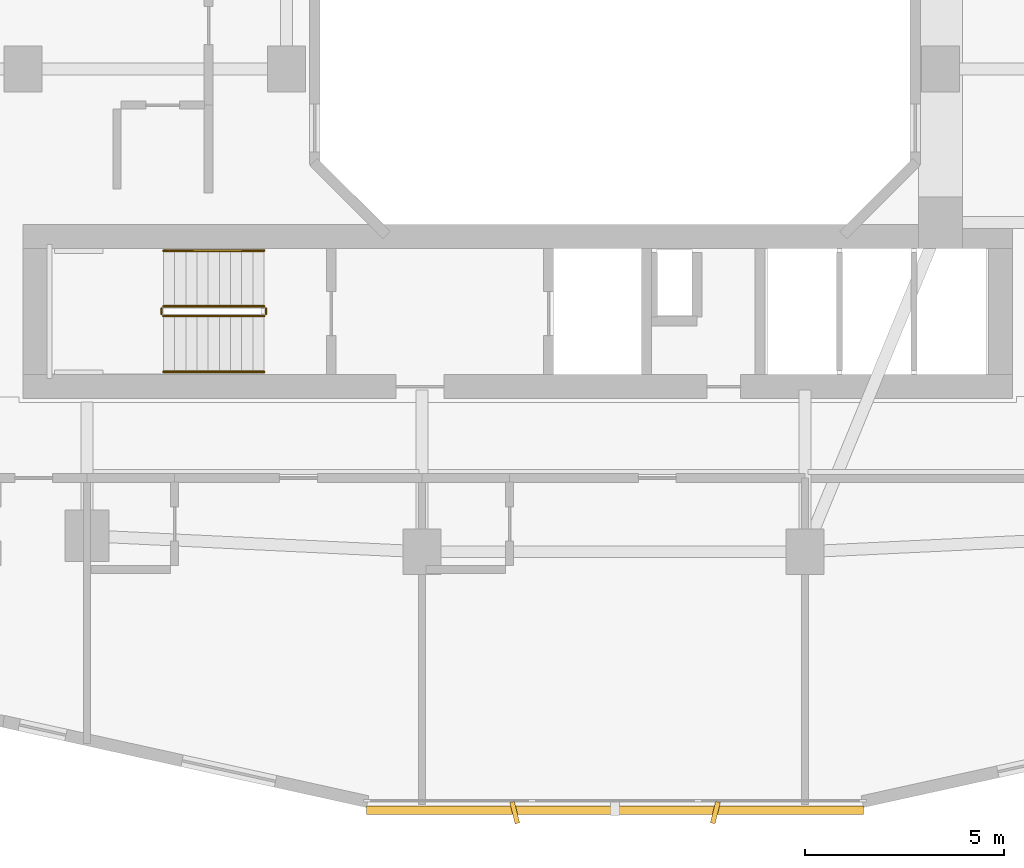
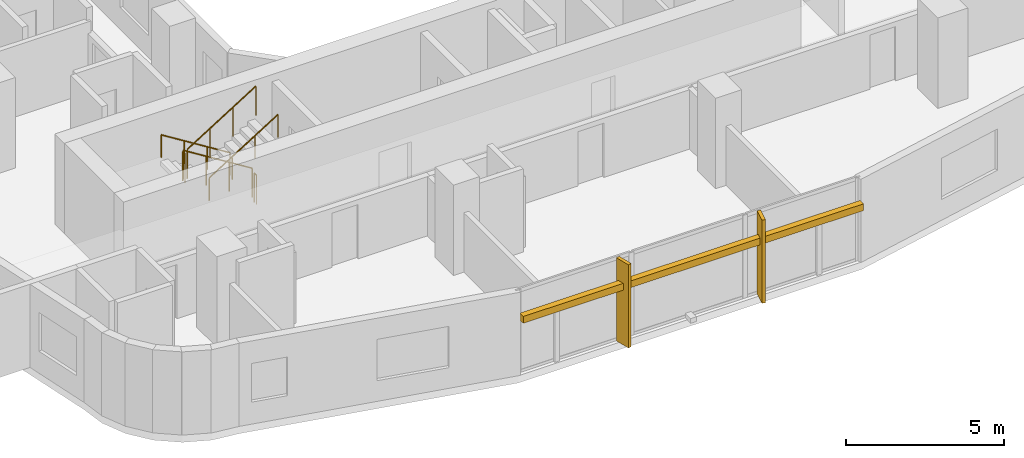
# One storey, part 21 of 25: 6 railings, 3 shading devices.
"""IFC4 building model written with IfcOpenShell, lengths in metres."""

import ifcopenshell
import ifcopenshell.guid

model = None  # the IFC model being written
_history = None  # IfcOwnerHistory: only IFC2X3 demands one
_inside = {}  # id of a spatial element -> (the spatial element, [elements in it])
_under = {}  # id of a project, library or spatial element -> (it, [spatial elements below it])
_declared = {}  # id of a project -> (the project, [libraries it declares])
_typed = {}  # id of a type object -> (the type object, [elements of that type])
_made_of = {}  # id of a material, layer set ... -> (it, [elements and type objects made of it])


def new_model(schema):
    """Start an empty IFC model of exactly this schema.

    Asked for "IFC4X3", IfcOpenShell would pick the latest addendum, in which some entities
    have other attributes; the version numbers below select the first issue.
    IFC2X3 requires an IfcOwnerHistory on every rooted entity: one is made here for all.
    """
    global model, _history
    if schema == "IFC4X3":
        model = ifcopenshell.file(schema_version=(4, 3, 0, 0))
    else:
        model = ifcopenshell.file(schema=schema)
    _inside.clear()
    _under.clear()
    _declared.clear()
    _typed.clear()
    _made_of.clear()
    _history = None
    if model.schema == "IFC2X3":
        org = make("IfcOrganization", Name="unknown")
        user = make(
            "IfcPersonAndOrganization",
            ThePerson=make("IfcPerson", FamilyName="unknown"),
            TheOrganization=org,
        )
        app = make(
            "IfcApplication",
            ApplicationDeveloper=org,
            Version="unknown",
            ApplicationFullName="unknown",
            ApplicationIdentifier="unknown",
        )
        _history = make(
            "IfcOwnerHistory",
            OwningUser=user,
            OwningApplication=app,
            ChangeAction="ADDED",
            CreationDate=0,
        )
    return model


def make(cls, **values):
    """One entity of the class cls with the attributes given. An attribute that is None is left unset."""
    return model.create_entity(
        cls, **{name: value for name, value in values.items() if value is not None}
    )


def rooted(cls, **values):
    """An entity with a GlobalId (a new one), such as an element, a storey or a relation."""
    return make(cls, GlobalId=ifcopenshell.guid.new(), OwnerHistory=_history, **values)


def si_unit(unit_type, name, prefix=None):
    """IfcSIUnit, for example si_unit("LENGTHUNIT", "METRE", prefix="MILLI")."""
    return make("IfcSIUnit", UnitType=unit_type, Prefix=prefix, Name=name)


def derived_unit(unit_type, elements):
    """IfcDerivedUnit: a product of units, each with its exponent."""
    return make(
        "IfcDerivedUnit",
        Elements=[
            make("IfcDerivedUnitElement", Unit=unit, Exponent=power)
            for unit, power in elements
        ],
        UnitType=unit_type,
    )


def assignment(units):
    """IfcUnitAssignment: the units of a project."""
    return None if units is None else make("IfcUnitAssignment", Units=units)


def point(xyz):
    """IfcCartesianPoint."""
    return None if xyz is None else make("IfcCartesianPoint", Coordinates=xyz)


def direction(xyz):
    """IfcDirection."""
    return None if xyz is None else make("IfcDirection", DirectionRatios=xyz)


def frame(location, z_axis=None, x_axis=None):
    """IfcAxis2Placement3D, a coordinate frame: its origin and axes. An axis left out is left unset."""
    return make(
        "IfcAxis2Placement3D",
        Location=point(location),
        Axis=direction(z_axis),
        RefDirection=direction(x_axis),
    )


def frame_2d(location, x_axis=None):
    """IfcAxis2Placement2D, a coordinate frame in the plane: its origin and x axis."""
    return make(
        "IfcAxis2Placement2D", Location=point(location), RefDirection=direction(x_axis)
    )


def origin():
    """The frame at (0, 0, 0) with its axes left unset."""
    return frame((0.0, 0.0, 0.0))


def origin_2d():
    """The frame at (0, 0) in the plane with its x axis left unset."""
    return frame_2d((0.0, 0.0))


def place(relative_to, where):
    """IfcLocalPlacement: puts the frame where relative to a parent placement (None: the world)."""
    return make(
        "IfcLocalPlacement", PlacementRelTo=relative_to, RelativePlacement=where
    )


def context(
    kind, dimensions, precision=None, world=None, true_north=None, identifier=None
):
    """IfcGeometricRepresentationContext, for example the 3D "Model" context."""
    return make(
        "IfcGeometricRepresentationContext",
        ContextIdentifier=identifier,
        ContextType=kind,
        CoordinateSpaceDimension=dimensions,
        Precision=precision,
        WorldCoordinateSystem=world,
        TrueNorth=true_north,
    )


def subcontext(parent, identifier, kind, view, scale=None):
    """IfcGeometricRepresentationSubContext, for example "Body" below "Model"."""
    return make(
        "IfcGeometricRepresentationSubContext",
        ContextIdentifier=identifier,
        ContextType=kind,
        ParentContext=parent,
        TargetScale=scale,
        TargetView=view,
    )


def project(units=None, contexts=None):
    """IfcProject with its units and contexts."""
    return rooted(
        "IfcProject",
        Name="project",
        RepresentationContexts=contexts,
        UnitsInContext=assignment(units),
    )


def spatial(cls, under=None, at=None, **own):
    """A site, building, storey or space (cls), placed at a placement, below another one or the project."""
    s = rooted(cls, ObjectPlacement=at, **own)
    if under is not None:
        _under.setdefault(under.id(), (under, []))[1].append(s)
    return s


def profile(cls, at=None, kind="AREA", **sizes):
    """A parametric profile (cls). Its sizes go by their IFC names, for example OverallWidth=200.0."""
    return make(cls, ProfileType=kind, Position=at, **sizes)


def rectangle(**sizes):
    """IfcRectangleProfileDef."""
    return profile("IfcRectangleProfileDef", **sizes)


def circle(**sizes):
    """IfcCircleProfileDef."""
    return profile("IfcCircleProfileDef", **sizes)


def extrude(swept, where, along, depth):
    """IfcExtrudedAreaSolid: the profile swept, set in the frame where, extruded along a direction by depth."""
    return make(
        "IfcExtrudedAreaSolid",
        SweptArea=swept,
        Position=where,
        ExtrudedDirection=direction(along),
        Depth=depth,
    )


def shape(context_of_items, identifier, shape_type, items):
    """IfcShapeRepresentation: the items that make up one representation, for example the "Body"."""
    return make(
        "IfcShapeRepresentation",
        ContextOfItems=context_of_items,
        RepresentationIdentifier=identifier,
        RepresentationType=shape_type,
        Items=items,
    )


def material(Name=None, Category=None):
    """IfcMaterial."""
    return make("IfcMaterial", Name=Name, Category=Category)


def made_of(thing, what):
    """Note that an element or type object is made of a material, layer set ...; save() writes the relation."""
    if what is not None:
        _made_of.setdefault(what.id(), (what, []))[1].append(thing)
    return thing


def type_object(cls, material=None, **own):
    """A type object (cls), such as IfcWallType, which elements share."""
    return made_of(rooted(cls, **own), material)


def element(
    cls,
    number,
    at=None,
    inside=None,
    cuts=None,
    type_object=None,
    material=None,
    context=None,
    identifier="Body",
    shape_type=None,
    held_by="IfcProductDefinitionShape",
    body=None,
    shapes=None,
    **own,
):
    """One element of the class cls, such as IfcWall. Its Tag is "e" and its number.

    at: its placement. inside: the storey or other place that contains it. cuts: it is an
    opening in that element (IfcRelVoidsElement). A single representation is given by context,
    identifier, shape_type and body (its items); several are given by shapes. held_by: the class
    of the entity that holds the representations. save() writes the other relations.
    """
    e = rooted(cls, Tag="e%d" % number, ObjectPlacement=at, **own)
    if body is not None:
        shapes = [shape(context, identifier, shape_type, body)]
    if shapes is not None:
        e.Representation = make(held_by, Representations=shapes)
    if inside is not None:
        _inside.setdefault(inside.id(), (inside, []))[1].append(e)
    if cuts is not None:
        rooted(
            "IfcRelVoidsElement", RelatingBuildingElement=cuts, RelatedOpeningElement=e
        )
    if type_object is not None:
        _typed.setdefault(type_object.id(), (type_object, []))[1].append(e)
    return made_of(e, material)


def aggregate(whole, parts):
    """IfcRelAggregates: a whole, such as a stair, and the parts it consists of."""
    return rooted("IfcRelAggregates", RelatingObject=whole, RelatedObjects=parts)


def save(model, path):
    """Write the relations noted so far, then the file.

    IfcRelAggregates (storeys below a building ...), IfcRelContainedInSpatialStructure (elements
    in a storey), IfcRelDefinesByType, IfcRelAssociatesMaterial and IfcRelDeclares: one each for
    every whole, place, type object, material and project.
    """
    for whole, parts in _under.values():
        aggregate(whole, parts)
    for where, things in _inside.values():
        rooted(
            "IfcRelContainedInSpatialStructure",
            RelatedElements=things,
            RelatingStructure=where,
        )
    for kind, things in _typed.values():
        rooted("IfcRelDefinesByType", RelatedObjects=things, RelatingType=kind)
    for what, things in _made_of.values():
        rooted("IfcRelAssociatesMaterial", RelatedObjects=things, RelatingMaterial=what)
    for by, libraries in _declared.values():
        rooted("IfcRelDeclares", RelatingContext=by, RelatedDefinitions=libraries)
    model.write(path)


model = new_model("IFC4")

# Units and contexts
model_context = context("Model", 3, precision=1e-05, world=origin(), true_north=direction((0.0, 1.0)))
body_context = subcontext(model_context, "Body", "Model", "MODEL_VIEW")
ifc_project = project(units=[si_unit("LENGTHUNIT", "METRE"), si_unit("AREAUNIT", "SQUARE_METRE"), si_unit("VOLUMEUNIT", "CUBIC_METRE"), si_unit("PLANEANGLEUNIT", "RADIAN"), si_unit("MASSUNIT", "GRAM", prefix="KILO"), derived_unit("THERMALTRANSMITTANCEUNIT", [(si_unit("POWERUNIT", "WATT"), 1), (si_unit("LENGTHUNIT", "METRE"), -2), (si_unit("THERMODYNAMICTEMPERATUREUNIT", "KELVIN"), -1)])], contexts=[model_context])

# Site, building, storey
site_placement = place(None, origin())
site = spatial("IfcSite", under=ifc_project, at=site_placement, CompositionType="ELEMENT")
building_placement = place(site_placement, origin())
building = spatial("IfcBuilding", under=site, at=building_placement, Name="Kivonza Crest Hotel", CompositionType="ELEMENT")
storey_placement = place(building_placement, frame((0.0, 0.0, 24.0)))
storey = spatial("IfcBuildingStorey", under=building, at=storey_placement, Name="L05", CompositionType="ELEMENT", Elevation=24.0)

# Railings
ifc_material_1 = material(Name="Brushed stainless steel handrail", Category="steel")
railing_type_1 = type_object("IfcRailingType", Name="RL-HAND-900", PredefinedType="HANDRAIL", material=ifc_material_1)
railing_1_placement = place(storey_placement, frame((12.239990234375, 16.949951171875, 0.175048828125)))
element("IfcRailing", 1, at=railing_1_placement, inside=storey, type_object=railing_type_1, Name="L05 ST-T1-S stair handrail 1", PredefinedType="HANDRAIL", context=body_context, shape_type="SweptSolid", body=[
    extrude(circle(Radius=0.02392578125, at=origin_2d()), frame((0.0, 0.0, 0.8759765625), z_axis=(-0.848007534815, 0.0, 0.529984170421), x_axis=(0.0, -1.0, 0.0)), (0.0, 0.0, 1.0), 2.9716796875),
    extrude(circle(Radius=0.02099609375, at=origin_2d()), origin(), (0.0, 0.0, 1.0), 0.851806640625),
    extrude(circle(Radius=0.02099609375, at=origin_2d()), frame((-0.840087890625, 0.0, 0.52490234375)), (0.0, 0.0, 1.0), 0.851806640625),
    extrude(circle(Radius=0.02099609375, at=origin_2d()), frame((-1.679931640625, 0.0, 1.050048828125)), (0.0, 0.0, 1.0), 0.851806640625),
    extrude(circle(Radius=0.02099609375, at=origin_2d()), frame((-2.52001953125, 0.0, 1.574951171875)), (0.0, 0.0, 1.0), 0.851806640625),
])
railing_2_placement = place(storey_placement, frame((9.719970703125, 13.909912109375, 1.925048828125)))
element("IfcRailing", 2, at=railing_2_placement, inside=storey, type_object=railing_type_1, Name="L05 ST-T1-S stair handrail 2", PredefinedType="HANDRAIL", context=body_context, shape_type="SweptSolid", body=[
    extrude(circle(Radius=0.02392578125, at=origin_2d()), frame((0.0, 0.0, 0.8759765625), z_axis=(0.848007534815, 0.0, 0.529984170421), x_axis=(0.0, 1.0, 0.0)), (0.0, 0.0, 1.0), 2.9716796875),
    extrude(circle(Radius=0.02099609375, at=origin_2d()), origin(), (0.0, 0.0, 1.0), 0.851806640625),
    extrude(circle(Radius=0.02099609375, at=origin_2d()), frame((0.840087890625, 0.0, 0.52490234375)), (0.0, 0.0, 1.0), 0.851806640625),
    extrude(circle(Radius=0.02099609375, at=origin_2d()), frame((1.679931640625, 0.0, 1.050048828125)), (0.0, 0.0, 1.0), 0.851806640625),
    extrude(circle(Radius=0.02099609375, at=origin_2d()), frame((2.52001953125, 0.0, 1.574951171875)), (0.0, 0.0, 1.0), 0.851806640625),
])
ifc_material_2 = material(Name="Painted steel balustrade", Category="steel")
railing_type_2 = type_object("IfcRailingType", Name="RL-STAIR-1150", PredefinedType="BALUSTRADE", material=ifc_material_2)
railing_3_placement = place(storey_placement, frame((12.239990234375, 15.550048828125, 0.175048828125)))
element("IfcRailing", 3, at=railing_3_placement, inside=storey, type_object=railing_type_2, Name="L05 ST-T1-S stair guard 1", PredefinedType="BALUSTRADE", context=body_context, shape_type="SweptSolid", body=[
    extrude(circle(Radius=0.02392578125, at=origin_2d()), frame((0.0, 0.0, 1.1259765625), z_axis=(-0.848007534815, 0.0, 0.529984170421), x_axis=(0.0, -1.0, 0.0)), (0.0, 0.0, 1.0), 2.9716796875),
    extrude(circle(Radius=0.02099609375, at=origin_2d()), origin(), (0.0, 0.0, 1.0), 1.101806640625),
    extrude(circle(Radius=0.02099609375, at=origin_2d()), frame((-0.840087890625, 0.0, 0.52490234375)), (0.0, 0.0, 1.0), 1.101806640625),
    extrude(circle(Radius=0.02099609375, at=origin_2d()), frame((-1.679931640625, 0.0, 1.050048828125)), (0.0, 0.0, 1.0), 1.101806640625),
    extrude(circle(Radius=0.02099609375, at=origin_2d()), frame((-2.52001953125, 0.0, 1.574951171875)), (0.0, 0.0, 1.0), 1.101806640625),
])
railing_4_placement = place(storey_placement, frame((9.669921875, 15.5, 1.75)))
element("IfcRailing", 4, at=railing_4_placement, inside=storey, type_object=railing_type_2, Name="L05 ST-T1-S stair guard 2", PredefinedType="BALUSTRADE", context=body_context, shape_type="SweptSolid", body=[
    extrude(circle(Radius=0.02392578125, at=origin_2d()), frame((0.0, 0.0, 1.1259765625), z_axis=(0.0, -1.0, 0.0), x_axis=(1.0, 0.0, 0.0)), (0.0, 0.0, 1.0), 0.139892578125),
    extrude(circle(Radius=0.02099609375, at=origin_2d()), origin(), (0.0, 0.0, 1.0), 1.101806640625),
    extrude(circle(Radius=0.02099609375, at=origin_2d()), frame((0.0, -0.139892578125, 0.0)), (0.0, 0.0, 1.0), 1.101806640625),
])
railing_5_placement = place(storey_placement, frame((9.719970703125, 15.31005859375, 1.925048828125)))
element("IfcRailing", 5, at=railing_5_placement, inside=storey, type_object=railing_type_2, Name="L05 ST-T1-S stair guard 3", PredefinedType="BALUSTRADE", context=body_context, shape_type="SweptSolid", body=[
    extrude(circle(Radius=0.02392578125, at=origin_2d()), frame((0.0, 0.0, 1.1259765625), z_axis=(0.848007534815, 0.0, 0.529984170421), x_axis=(0.0, 1.0, 0.0)), (0.0, 0.0, 1.0), 2.9716796875),
    extrude(circle(Radius=0.02099609375, at=origin_2d()), origin(), (0.0, 0.0, 1.0), 1.101806640625),
    extrude(circle(Radius=0.02099609375, at=origin_2d()), frame((0.840087890625, 0.0, 0.52490234375)), (0.0, 0.0, 1.0), 1.101806640625),
    extrude(circle(Radius=0.02099609375, at=origin_2d()), frame((1.679931640625, 0.0, 1.050048828125)), (0.0, 0.0, 1.0), 1.101806640625),
    extrude(circle(Radius=0.02099609375, at=origin_2d()), frame((2.52001953125, 0.0, 1.574951171875)), (0.0, 0.0, 1.0), 1.101806640625),
])
railing_6_placement = place(storey_placement, frame((12.2900390625, 15.5, 0.0)))
element("IfcRailing", 6, at=railing_6_placement, inside=storey, type_object=railing_type_2, Name="L05 ST-T1-S stair guard 4", PredefinedType="BALUSTRADE", context=body_context, shape_type="SweptSolid", body=[
    extrude(circle(Radius=0.02392578125, at=origin_2d()), frame((0.0, 0.0, 1.1259765625), z_axis=(0.0, -1.0, 0.0), x_axis=(1.0, 0.0, 0.0)), (0.0, 0.0, 1.0), 0.139892578125),
    extrude(circle(Radius=0.02099609375, at=origin_2d()), origin(), (0.0, 0.0, 1.0), 1.101806640625),
    extrude(circle(Radius=0.02099609375, at=origin_2d()), frame((0.0, -0.139892578125, 0.0)), (0.0, 0.0, 1.0), 1.101806640625),
])

# Shading devices
ifc_material_3 = material(Name="Kiln-fired Nairobi red-ochre terracotta", Category="masonry")
shading_device_type_1 = type_object("IfcShadingDeviceType", Name="SH-BAGUETTE-300", PredefinedType="USERDEFINED", material=ifc_material_3)
shading_device_placement = place(storey_placement, frame((21.0400390625, 2.919921875, 2.1240234375), z_axis=(0.0, 0.0, 1.0), x_axis=(1.0, 0.0, 0.0)))
element("IfcShadingDevice", 7, at=shading_device_placement, inside=storey, type_object=shading_device_type_1, Name="L05 terracotta baguette screen CW-T1-L05-08", ObjectType="BAGUETTE", PredefinedType="USERDEFINED", context=body_context, shape_type="SweptSolid", body=[
    extrude(rectangle(XDim=12.4560546875, YDim=0.219970703125, at=origin_2d()), origin(), (0.0, 0.0, 1.0), 0.260009765625),
])
ifc_material_4 = material(Name="Kiln-fired terracotta over extruded aluminium spine", Category="masonry")
shading_device_type_2 = type_object("IfcShadingDeviceType", Name="SH-FIN-550", PredefinedType="USERDEFINED", material=ifc_material_4)
for number, where, z_axis, x_axis, name in (
    (8, (18.52490234375, 2.860107421875, 0.0), (0.0, 0.0, 1.0), (0.970295726276, 0.2419218956, 0.0), "L05 vertical solar shading fin CW-T1-L05-08-1"),
    (9, (23.554931640625, 2.860107421875, 0.0), (0.0, 0.0, 1.0), (0.970295726276, -0.2419218956, 0.0), "L05 vertical solar shading fin CW-T1-L05-08-2"),
):
    element("IfcShadingDevice", number, at=place(storey_placement, frame(where, z_axis=z_axis, x_axis=x_axis)), inside=storey, type_object=shading_device_type_2, Name=name, ObjectType="FIN", PredefinedType="USERDEFINED", context=body_context, shape_type="SweptSolid", body=[
        extrude(rectangle(XDim=0.1201171875, YDim=0.550048828125, at=origin_2d()), origin(), (0.0, 0.0, 1.0), 3.219970703125),
    ])

save(model, "model.ifc")
